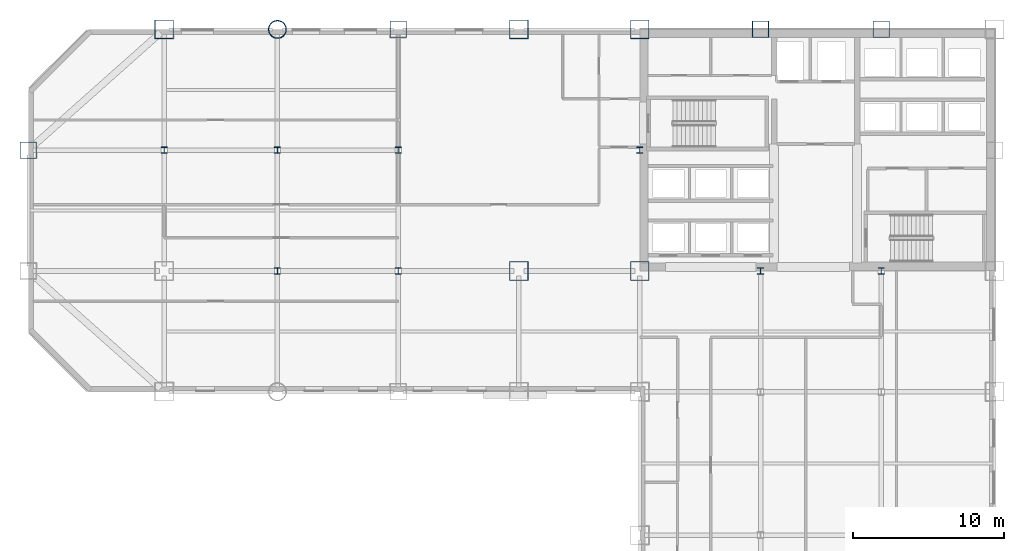
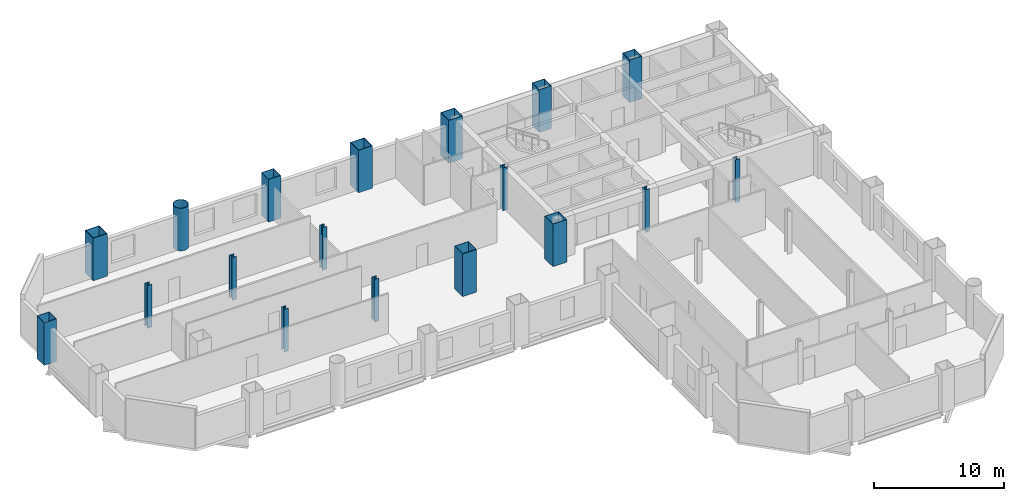
# One storey, part 2 of 9: 18 columns.
"""IFC4 building model written with IfcOpenShell, lengths in metres."""

from ifc_helpers import new_model, si_unit, direction, frame, origin, origin_2d, place, context, subcontext, project, spatial, hollow_rectangle, hollow_circle, i_section, extrude, material, material_profile, profile_set, type_object, element, save


model = new_model("IFC4")

# Units and contexts
model_context = context("Model", 3, precision=1e-05, world=origin(), true_north=direction((0.0, 1.0)))
body_context = subcontext(model_context, "Body", "Model", "MODEL_VIEW")
ifc_project = project(units=[si_unit("LENGTHUNIT", "METRE"), si_unit("AREAUNIT", "SQUARE_METRE"), si_unit("VOLUMEUNIT", "CUBIC_METRE"), si_unit("PLANEANGLEUNIT", "RADIAN"), si_unit("MASSUNIT", "GRAM", prefix="KILO")], contexts=[model_context])

# Site, building, storey
site_placement = place(None, origin())
site = spatial("IfcSite", under=ifc_project, at=site_placement, CompositionType="ELEMENT")
building_placement = place(site_placement, origin())
building = spatial("IfcBuilding", under=site, at=building_placement, Name="Qianrong Seaharbour Tower", CompositionType="ELEMENT")
storey_placement = place(building_placement, frame((0.0, 0.0, 68.199951171875)))
storey = spatial("IfcBuildingStorey", under=building, at=storey_placement, Name="L16", CompositionType="ELEMENT", Elevation=68.199951171875)

# Columns
ifc_material = material(Name="Structural steel SN490B", Category="steel")
ifc_material_profile_1 = material_profile(ifc_material, hollow_rectangle(XDim=1.25, YDim=1.25, WallThickness=0.044921875, at=origin_2d()), Name="BOX1250x1250x45")
ifc_profile_set_1 = profile_set([ifc_material_profile_1], Name="Structural steel SN490B")
column_type_1 = type_object("IfcColumnType", Name="COL-CFT-1250", PredefinedType="COLUMN", material=ifc_profile_set_1)
for number, where, z_axis, x_axis, name in (
    (1, (9.0, 52.0, 0.0), (0.0, 0.0, 1.0), (1.0, 0.0, 0.0), "L16 Column MC-2 at G2/GH"),
    (2, (32.5, 36.0, 0.0), (0.0, 0.0, 1.0), (1.0, 0.0, 0.0), "L16 Column MC-2 at G5/GF"),
    (3, (32.5, 52.0, 0.0), (0.0, 0.0, 1.0), (1.0, 0.0, 0.0), "L16 Column MC-2 at G5/GH"),
    (4, (40.5, 36.0, 0.0), (0.0, 0.0, 1.0), (1.0, 0.0, 0.0), "L16 Column MC-2 at G6/GF"),
    (5, (40.5, 52.0, 0.0), (0.0, 0.0, 1.0), (1.0, 0.0, 0.0), "L16 Column MC-2 at G6/GH"),
):
    element("IfcColumn", number, at=place(storey_placement, frame(where, z_axis=z_axis, x_axis=x_axis)), inside=storey, type_object=column_type_1, Name=name, PredefinedType="COLUMN", context=body_context, shape_type="SweptSolid", body=[
        extrude(hollow_rectangle(XDim=1.25, YDim=1.25, WallThickness=0.044921875, at=origin_2d()), origin(), (0.0, 0.0, 1.0), 4.0),
    ])
ifc_material_profile_2 = material_profile(ifc_material, hollow_circle(Radius=0.60009765625, WallThickness=0.0400390625, at=origin_2d()), Name="CHS1200x40")
ifc_profile_set_2 = profile_set([ifc_material_profile_2], Name="Structural steel SN490B")
column_type_2 = type_object("IfcColumnType", Name="COL-CHS-1200", PredefinedType="COLUMN", material=ifc_profile_set_2)
column_placement = place(storey_placement, frame((16.5, 52.0, 0.0), z_axis=(0.0, 0.0, 1.0), x_axis=(1.0, 0.0, 0.0)))
element("IfcColumn", 6, at=column_placement, inside=storey, type_object=column_type_2, Name="L16 Column CC-1 at G3/GH", PredefinedType="COLUMN", context=body_context, shape_type="SweptSolid", body=[
    extrude(hollow_circle(Radius=0.60009765625, WallThickness=0.0400390625, at=origin_2d()), origin(), (0.0, 0.0, 1.0), 4.0),
])
ifc_material_profile_3 = material_profile(ifc_material, i_section(OverallWidth=0.406982421875, OverallDepth=0.427978515625, WebThickness=0.02001953125, FlangeThickness=0.034912109375, FilletRadius=0.02197265625, at=origin_2d()), Name="H428x407x20x35")
ifc_profile_set_3 = profile_set([ifc_material_profile_3], Name="Structural steel SN490B")
column_type_3 = type_object("IfcColumnType", Name="COL-INT-H428", PredefinedType="COLUMN", material=ifc_profile_set_3)
for number, where, z_axis, x_axis, name in (
    (7, (9.0, 44.0, 0.0), (0.0, 0.0, 1.0), (1.0, 0.0, 0.0), "L16 Column IC-2 at G2/GG"),
    (8, (16.5, 36.0, 0.0), (0.0, 0.0, 1.0), (1.0, 0.0, 0.0), "L16 Column IC-2 at G3/GF"),
    (9, (16.5, 44.0, 0.0), (0.0, 0.0, 1.0), (1.0, 0.0, 0.0), "L16 Column IC-2 at G3/GG"),
    (10, (24.5, 36.0, 0.0), (0.0, 0.0, 1.0), (1.0, 0.0, 0.0), "L16 Column IC-2 at G4/GF"),
    (11, (24.5, 44.0, 0.0), (0.0, 0.0, 1.0), (1.0, 0.0, 0.0), "L16 Column IC-2 at G4/GG"),
    (12, (40.5, 44.0, 0.0), (0.0, 0.0, 1.0), (1.0, 0.0, 0.0), "L16 Column IC-2 at G6/GG"),
    (13, (48.5, 36.0, 0.0), (0.0, 0.0, 1.0), (1.0, 0.0, 0.0), "L16 Column IC-2 at G7/GF"),
    (14, (56.5, 36.0, 0.0), (0.0, 0.0, 1.0), (1.0, 0.0, 0.0), "L16 Column IC-2 at G8/GF"),
):
    element("IfcColumn", number, at=place(storey_placement, frame(where, z_axis=z_axis, x_axis=x_axis)), inside=storey, type_object=column_type_3, Name=name, PredefinedType="COLUMN", context=body_context, shape_type="SweptSolid", body=[
        extrude(i_section(OverallWidth=0.406982421875, OverallDepth=0.427978515625, WebThickness=0.02001953125, FlangeThickness=0.034912109375, FilletRadius=0.02197265625, at=origin_2d()), origin(), (0.0, 0.0, 1.0), 4.0),
    ])
ifc_material_profile_4 = material_profile(ifc_material, hollow_rectangle(XDim=1.10009765625, YDim=1.10009765625, WallThickness=0.0400390625, at=origin_2d()), Name="BOX1100x1100x40")
ifc_profile_set_4 = profile_set([ifc_material_profile_4], Name="Structural steel SN490B")
column_type_4 = type_object("IfcColumnType", Name="COL-PER-1100", PredefinedType="COLUMN", material=ifc_profile_set_4)
for number, where, z_axis, x_axis, name in (
    (15, (0.0, 44.0, 0.0), (0.0, 0.0, 1.0), (1.0, 0.0, 0.0), "L16 Column PC-1 at G1/GG"),
    (16, (24.5, 52.0, 0.0), (0.0, 0.0, 1.0), (1.0, 0.0, 0.0), "L16 Column PC-1 at G4/GH"),
    (17, (48.5, 52.0, 0.0), (0.0, 0.0, 1.0), (1.0, 0.0, 0.0), "L16 Column PC-1 at G7/GH"),
    (18, (56.5, 52.0, 0.0), (0.0, 0.0, 1.0), (1.0, 0.0, 0.0), "L16 Column PC-1 at G8/GH"),
):
    element("IfcColumn", number, at=place(storey_placement, frame(where, z_axis=z_axis, x_axis=x_axis)), inside=storey, type_object=column_type_4, Name=name, PredefinedType="COLUMN", context=body_context, shape_type="SweptSolid", body=[
        extrude(hollow_rectangle(XDim=1.10009765625, YDim=1.10009765625, WallThickness=0.0400390625, at=origin_2d()), origin(), (0.0, 0.0, 1.0), 4.0),
    ])

save(model, "model.ifc")
